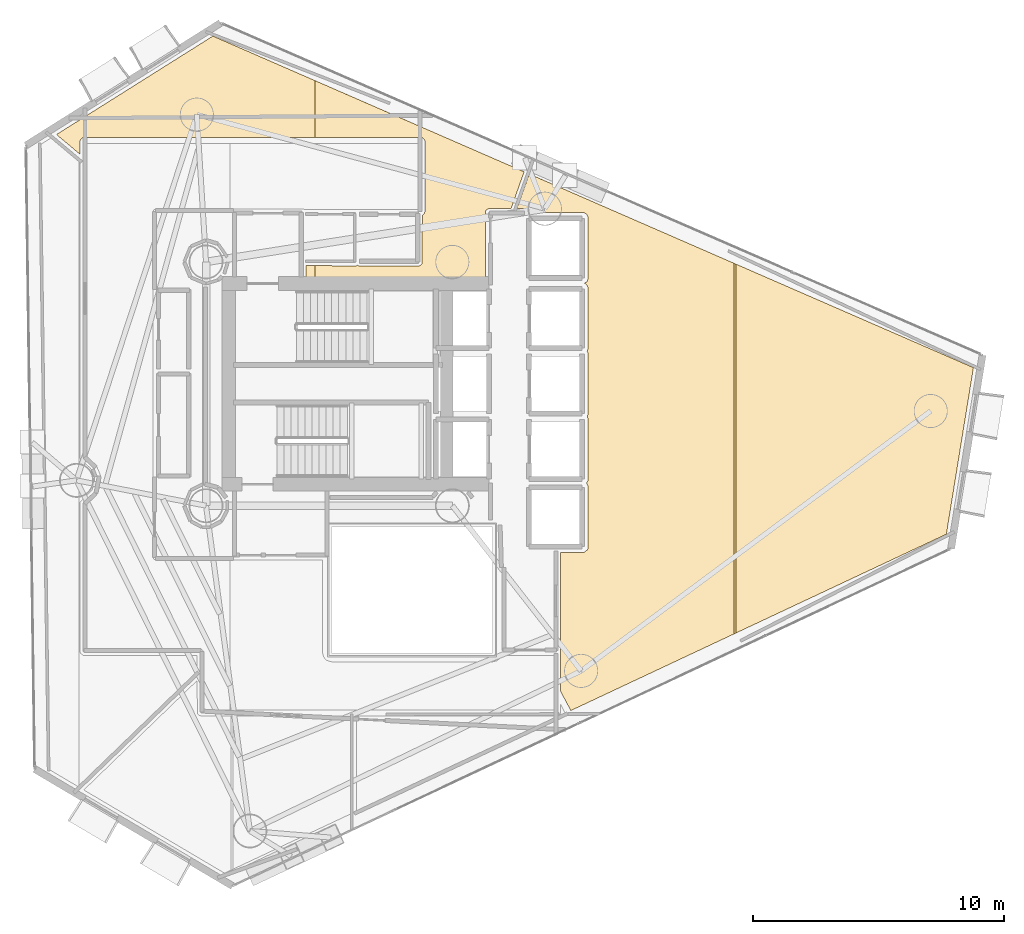
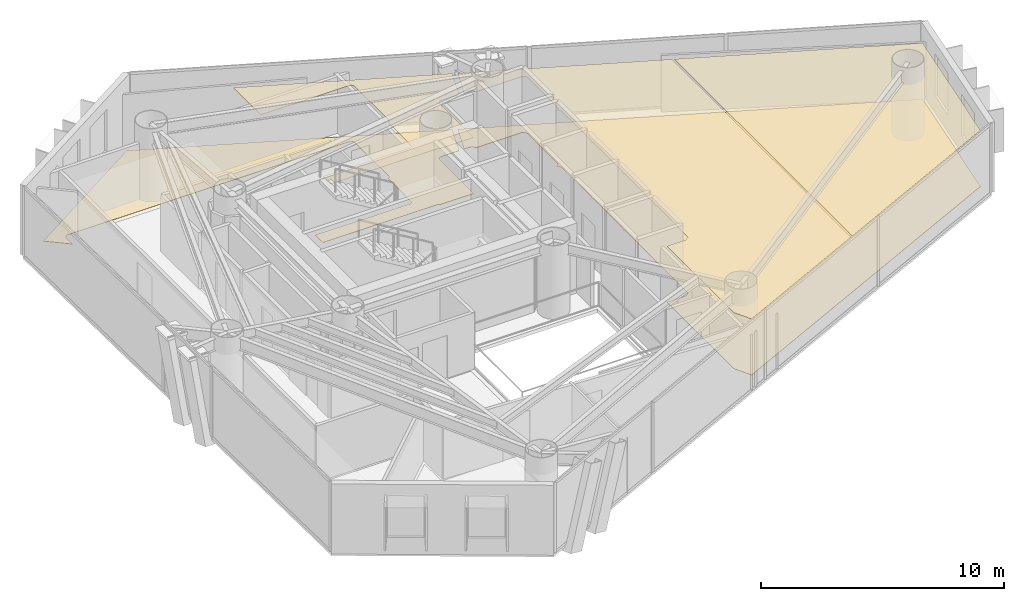
# One storey, part 20 of 20: 5 coverings.
"""IFC4 building model written with IfcOpenShell, lengths in metres."""

import ifcopenshell
import ifcopenshell.guid

model = None  # the IFC model being written
_history = None  # IfcOwnerHistory: only IFC2X3 demands one
_inside = {}  # id of a spatial element -> (the spatial element, [elements in it])
_under = {}  # id of a project, library or spatial element -> (it, [spatial elements below it])
_declared = {}  # id of a project -> (the project, [libraries it declares])
_typed = {}  # id of a type object -> (the type object, [elements of that type])
_made_of = {}  # id of a material, layer set ... -> (it, [elements and type objects made of it])


def new_model(schema):
    """Start an empty IFC model of exactly this schema.

    Asked for "IFC4X3", IfcOpenShell would pick the latest addendum, in which some entities
    have other attributes; the version numbers below select the first issue.
    IFC2X3 requires an IfcOwnerHistory on every rooted entity: one is made here for all.
    """
    global model, _history
    if schema == "IFC4X3":
        model = ifcopenshell.file(schema_version=(4, 3, 0, 0))
    else:
        model = ifcopenshell.file(schema=schema)
    _inside.clear()
    _under.clear()
    _declared.clear()
    _typed.clear()
    _made_of.clear()
    _history = None
    if model.schema == "IFC2X3":
        org = make("IfcOrganization", Name="unknown")
        user = make(
            "IfcPersonAndOrganization",
            ThePerson=make("IfcPerson", FamilyName="unknown"),
            TheOrganization=org,
        )
        app = make(
            "IfcApplication",
            ApplicationDeveloper=org,
            Version="unknown",
            ApplicationFullName="unknown",
            ApplicationIdentifier="unknown",
        )
        _history = make(
            "IfcOwnerHistory",
            OwningUser=user,
            OwningApplication=app,
            ChangeAction="ADDED",
            CreationDate=0,
        )
    return model


def make(cls, **values):
    """One entity of the class cls with the attributes given. An attribute that is None is left unset."""
    return model.create_entity(
        cls, **{name: value for name, value in values.items() if value is not None}
    )


def rooted(cls, **values):
    """An entity with a GlobalId (a new one), such as an element, a storey or a relation."""
    return make(cls, GlobalId=ifcopenshell.guid.new(), OwnerHistory=_history, **values)


def si_unit(unit_type, name, prefix=None):
    """IfcSIUnit, for example si_unit("LENGTHUNIT", "METRE", prefix="MILLI")."""
    return make("IfcSIUnit", UnitType=unit_type, Prefix=prefix, Name=name)


def assignment(units):
    """IfcUnitAssignment: the units of a project."""
    return None if units is None else make("IfcUnitAssignment", Units=units)


def point(xyz):
    """IfcCartesianPoint."""
    return None if xyz is None else make("IfcCartesianPoint", Coordinates=xyz)


def direction(xyz):
    """IfcDirection."""
    return None if xyz is None else make("IfcDirection", DirectionRatios=xyz)


def frame(location, z_axis=None, x_axis=None):
    """IfcAxis2Placement3D, a coordinate frame: its origin and axes. An axis left out is left unset."""
    return make(
        "IfcAxis2Placement3D",
        Location=point(location),
        Axis=direction(z_axis),
        RefDirection=direction(x_axis),
    )


def origin():
    """The frame at (0, 0, 0) with its axes left unset."""
    return frame((0.0, 0.0, 0.0))


def place(relative_to, where):
    """IfcLocalPlacement: puts the frame where relative to a parent placement (None: the world)."""
    return make(
        "IfcLocalPlacement", PlacementRelTo=relative_to, RelativePlacement=where
    )


def context(
    kind, dimensions, precision=None, world=None, true_north=None, identifier=None
):
    """IfcGeometricRepresentationContext, for example the 3D "Model" context."""
    return make(
        "IfcGeometricRepresentationContext",
        ContextIdentifier=identifier,
        ContextType=kind,
        CoordinateSpaceDimension=dimensions,
        Precision=precision,
        WorldCoordinateSystem=world,
        TrueNorth=true_north,
    )


def subcontext(parent, identifier, kind, view, scale=None):
    """IfcGeometricRepresentationSubContext, for example "Body" below "Model"."""
    return make(
        "IfcGeometricRepresentationSubContext",
        ContextIdentifier=identifier,
        ContextType=kind,
        ParentContext=parent,
        TargetScale=scale,
        TargetView=view,
    )


def project(units=None, contexts=None):
    """IfcProject with its units and contexts."""
    return rooted(
        "IfcProject",
        Name="project",
        RepresentationContexts=contexts,
        UnitsInContext=assignment(units),
    )


def spatial(cls, under=None, at=None, **own):
    """A site, building, storey or space (cls), placed at a placement, below another one or the project."""
    s = rooted(cls, ObjectPlacement=at, **own)
    if under is not None:
        _under.setdefault(under.id(), (under, []))[1].append(s)
    return s


def polyline(points):
    """IfcPolyline through the points."""
    return make("IfcPolyline", Points=[point(p) for p in points])


def outline(outer, holes=None, kind="AREA"):
    """IfcArbitraryClosedProfileDef: a profile drawn as a closed curve; with holes, ...WithVoids."""
    if holes is None:
        return make("IfcArbitraryClosedProfileDef", ProfileType=kind, OuterCurve=outer)
    return make(
        "IfcArbitraryProfileDefWithVoids",
        ProfileType=kind,
        OuterCurve=outer,
        InnerCurves=holes,
    )


def extrude(swept, where, along, depth):
    """IfcExtrudedAreaSolid: the profile swept, set in the frame where, extruded along a direction by depth."""
    return make(
        "IfcExtrudedAreaSolid",
        SweptArea=swept,
        Position=where,
        ExtrudedDirection=direction(along),
        Depth=depth,
    )


def shape(context_of_items, identifier, shape_type, items):
    """IfcShapeRepresentation: the items that make up one representation, for example the "Body"."""
    return make(
        "IfcShapeRepresentation",
        ContextOfItems=context_of_items,
        RepresentationIdentifier=identifier,
        RepresentationType=shape_type,
        Items=items,
    )


def material(Name=None, Category=None):
    """IfcMaterial."""
    return make("IfcMaterial", Name=Name, Category=Category)


def layer(
    of_material, thickness, ventilated=None, Name=None, Category=None, Priority=None
):
    """IfcMaterialLayer: one layer of a wall or slab, of a material (None: an air gap)."""
    return make(
        "IfcMaterialLayer",
        Material=of_material,
        LayerThickness=thickness,
        IsVentilated=ventilated,
        Name=Name,
        Category=Category,
        Priority=Priority,
    )


def layer_set(layers, Name=None):
    """IfcMaterialLayerSet."""
    return make("IfcMaterialLayerSet", MaterialLayers=layers, LayerSetName=Name)


def made_of(thing, what):
    """Note that an element or type object is made of a material, layer set ...; save() writes the relation."""
    if what is not None:
        _made_of.setdefault(what.id(), (what, []))[1].append(thing)
    return thing


def type_object(cls, material=None, **own):
    """A type object (cls), such as IfcWallType, which elements share."""
    return made_of(rooted(cls, **own), material)


def element(
    cls,
    number,
    at=None,
    inside=None,
    cuts=None,
    type_object=None,
    material=None,
    context=None,
    identifier="Body",
    shape_type=None,
    held_by="IfcProductDefinitionShape",
    body=None,
    shapes=None,
    **own,
):
    """One element of the class cls, such as IfcWall. Its Tag is "e" and its number.

    at: its placement. inside: the storey or other place that contains it. cuts: it is an
    opening in that element (IfcRelVoidsElement). A single representation is given by context,
    identifier, shape_type and body (its items); several are given by shapes. held_by: the class
    of the entity that holds the representations. save() writes the other relations.
    """
    e = rooted(cls, Tag="e%d" % number, ObjectPlacement=at, **own)
    if body is not None:
        shapes = [shape(context, identifier, shape_type, body)]
    if shapes is not None:
        e.Representation = make(held_by, Representations=shapes)
    if inside is not None:
        _inside.setdefault(inside.id(), (inside, []))[1].append(e)
    if cuts is not None:
        rooted(
            "IfcRelVoidsElement", RelatingBuildingElement=cuts, RelatedOpeningElement=e
        )
    if type_object is not None:
        _typed.setdefault(type_object.id(), (type_object, []))[1].append(e)
    return made_of(e, material)


def aggregate(whole, parts):
    """IfcRelAggregates: a whole, such as a stair, and the parts it consists of."""
    return rooted("IfcRelAggregates", RelatingObject=whole, RelatedObjects=parts)


def save(model, path):
    """Write the relations noted so far, then the file.

    IfcRelAggregates (storeys below a building ...), IfcRelContainedInSpatialStructure (elements
    in a storey), IfcRelDefinesByType, IfcRelAssociatesMaterial and IfcRelDeclares: one each for
    every whole, place, type object, material and project.
    """
    for whole, parts in _under.values():
        aggregate(whole, parts)
    for where, things in _inside.values():
        rooted(
            "IfcRelContainedInSpatialStructure",
            RelatedElements=things,
            RelatingStructure=where,
        )
    for kind, things in _typed.values():
        rooted("IfcRelDefinesByType", RelatedObjects=things, RelatingType=kind)
    for what, things in _made_of.values():
        rooted("IfcRelAssociatesMaterial", RelatedObjects=things, RelatingMaterial=what)
    for by, libraries in _declared.values():
        rooted("IfcRelDeclares", RelatingContext=by, RelatedDefinitions=libraries)
    model.write(path)


model = new_model("IFC4")

# Units and contexts
model_context = context("Model", 3, precision=1e-05, world=origin(), true_north=direction((0.0, 1.0)))
body_context = subcontext(model_context, "Body", "Model", "MODEL_VIEW")
ifc_project = project(units=[si_unit("LENGTHUNIT", "METRE"), si_unit("AREAUNIT", "SQUARE_METRE"), si_unit("VOLUMEUNIT", "CUBIC_METRE"), si_unit("PLANEANGLEUNIT", "RADIAN"), si_unit("MASSUNIT", "GRAM", prefix="KILO")], contexts=[model_context])

# Site, building, storey
site_placement = place(None, origin())
site = spatial("IfcSite", under=ifc_project, at=site_placement, CompositionType="ELEMENT")
building_placement = place(site_placement, origin())
building = spatial("IfcBuilding", under=site, at=building_placement, Name="Qianvela Tower", CompositionType="ELEMENT")
storey_placement = place(building_placement, frame((0.0, 0.0, 151.300048828125)))
storey = spatial("IfcBuildingStorey", under=building, at=storey_placement, Name="L38", CompositionType="ELEMENT", Elevation=151.300048828125)

# Coverings
ifc_material_1 = material(Name="Perforated Mineral Acoustic Ceiling Tile")
ifc_layer_1 = layer(ifc_material_1, 0.02490234375)
ifc_layer_set_1 = layer_set([ifc_layer_1], Name="Perforated Mineral Acoustic Ceiling Tile")
covering_type_1 = type_object("IfcCoveringType", Name="COV-CEIL-ACOUSTIC-25", PredefinedType="CEILING", material=ifc_layer_set_1)
covering_1_placement = place(storey_placement, frame((0.0, 0.0, 2.81494140625)))
element("IfcCovering", 1, at=covering_1_placement, inside=storey, type_object=covering_type_1, Name="L38 Acoustic Ceiling Bay 1 Student Bookshop Market L38-04", PredefinedType="CEILING", context=body_context, shape_type="SweptSolid", body=[
    extrude(outline(polyline([(42.7099609375, 16.461181640625), (42.709228515625, 21.97998046875), (43.59375, 21.980712890625), (43.602294921875, 21.981201171875), (43.610595703125, 21.982421875), (43.618896484375, 21.984619140625), (43.626708984375, 21.98779296875), (43.63427734375, 21.99169921875), (43.641357421875, 21.996337890625), (43.757080078125, 22.082275390625), (43.763427734375, 22.08740234375), (43.769287109375, 22.09326171875), (43.7744140625, 22.099853515625), (43.77880859375, 22.106689453125), (43.782470703125, 22.114013671875), (43.785400390625, 22.121826171875), (43.78759765625, 22.1298828125), (43.788818359375, 22.137939453125), (43.789306640625, 22.146240234375), (43.79736328125, 24.627197265625), (43.797119140625, 24.63427734375), (43.7958984375, 24.6416015625), (43.79443359375, 24.6484375), (43.792236328125, 24.655517578125), (43.789306640625, 24.662109375), (43.785888671875, 24.66845703125), (43.7373046875, 24.749267578125), (43.737060546875, 24.75), (43.780517578125, 24.81494140625), (43.784423828125, 24.821533203125), (43.787841796875, 24.82861328125), (43.79052734375, 24.8359375), (43.79248046875, 24.843505859375), (43.793701171875, 24.851318359375), (43.7939453125, 24.859130859375), (43.800048828125, 27.2998046875), (43.799560546875, 27.307861328125), (43.79833984375, 27.315673828125), (43.79638671875, 27.323486328125), (43.793701171875, 27.3310546875), (43.7646484375, 27.39990234375), (43.793701171875, 27.468994140625), (43.79638671875, 27.476318359375), (43.79833984375, 27.484130859375), (43.799560546875, 27.491943359375), (43.800048828125, 27.5), (43.800048828125, 29.89990234375), (43.799560546875, 29.907958984375), (43.79833984375, 29.915771484375), (43.79638671875, 29.923583984375), (43.793701171875, 29.93115234375), (43.7646484375, 30.0), (43.793701171875, 30.06884765625), (43.79638671875, 30.076416015625), (43.79833984375, 30.084228515625), (43.799560546875, 30.092041015625), (43.800048828125, 30.10009765625), (43.79931640625, 32.513671875), (43.798828125, 32.522705078125), (43.79736328125, 32.53125), (43.794921875, 32.539794921875), (43.79150390625, 32.5478515625), (43.751220703125, 32.63330078125), (43.74755859375, 32.64013671875), (43.743408203125, 32.646728515625), (43.73828125, 32.652587890625), (43.732666015625, 32.658203125), (43.726806640625, 32.663330078125), (43.72021484375, 32.66748046875), (43.713134765625, 32.67138671875), (43.646484375, 32.702880859375), (43.722412109375, 32.739013671875), (43.729248046875, 32.74267578125), (43.73583984375, 32.746826171875), (43.741943359375, 32.751953125), (43.74755859375, 32.757568359375), (43.75244140625, 32.763427734375), (43.7568359375, 32.77001953125), (43.760498046875, 32.777099609375), (43.763427734375, 32.7841796875), (43.79541015625, 32.873046875), (43.79736328125, 32.879638671875), (43.798828125, 32.88623046875), (43.7998046875, 32.893310546875), (43.800048828125, 32.89990234375), (43.79931640625, 35.313720703125), (43.798828125, 35.322509765625), (43.79736328125, 35.331298828125), (43.794921875, 35.33984375), (43.79150390625, 35.347900390625), (43.751220703125, 35.43310546875), (43.74755859375, 35.440185546875), (43.743408203125, 35.44677734375), (43.73828125, 35.45263671875), (43.732666015625, 35.458251953125), (43.726806640625, 35.46337890625), (43.72021484375, 35.467529296875), (43.713134765625, 35.47119140625), (43.6279296875, 35.51171875), (43.621337890625, 35.514404296875), (43.614501953125, 35.5166015625), (43.607666015625, 35.51806640625), (43.6005859375, 35.51904296875), (43.593505859375, 35.519287109375), (41.4306640625, 35.51123046875), (41.410400390625, 35.579345703125), (41.407958984375, 35.586669921875), (41.404541015625, 35.59375), (41.400634765625, 35.6005859375), (41.39599609375, 35.606689453125), (41.390869140625, 35.61279296875), (41.38525390625, 35.617919921875), (41.337646484375, 35.65771484375), (41.331298828125, 35.66259765625), (41.32470703125, 35.666748046875), (41.3173828125, 35.670166015625), (41.31005859375, 35.6728515625), (41.302490234375, 35.6748046875), (41.294677734375, 35.676025390625), (41.286865234375, 35.676513671875), (40.97216796875, 35.67919921875), (41.46044921875, 37.0478515625), (49.605712890625, 33.4970703125), (49.605712890625, 18.747802734375), (43.11474609375, 15.699951171875), (42.7099609375, 16.461181640625)])), origin(), (0.0, 0.0, 1.0), 0.02490234375),
])
covering_2_placement = place(storey_placement, frame((0.0, 0.0, 2.81494140625)))
element("IfcCovering", 2, at=covering_2_placement, inside=storey, type_object=covering_type_1, Name="L38 Acoustic Ceiling Bay 2 Student Bookshop Market L38-04", PredefinedType="CEILING", context=body_context, shape_type="SweptSolid", body=[
    extrude(outline(polyline([(59.133056640625, 29.343994140625), (58.056884765625, 22.716064453125), (49.685791015625, 18.785400390625), (49.685791015625, 33.462158203125), (59.133056640625, 29.343994140625)])), origin(), (0.0, 0.0, 1.0), 0.02490234375),
])
covering_3_placement = place(storey_placement, frame((0.0, 0.0, 2.81494140625)))
element("IfcCovering", 3, at=covering_3_placement, inside=storey, type_object=covering_type_1, Name="L38 Acoustic Ceiling Bay 2 Student Wellness Lounge L38-05", PredefinedType="CEILING", context=body_context, shape_type="SweptSolid", body=[
    extrude(outline(polyline([(40.740478515625, 35.679931640625), (39.8798828125, 35.679931640625), (39.872314453125, 35.6796875), (39.864501953125, 35.678466796875), (39.856689453125, 35.676513671875), (39.849365234375, 35.673828125), (39.84228515625, 35.670654296875), (39.835693359375, 35.66650390625), (39.76171875, 35.6171875), (39.75537109375, 35.612548828125), (39.74951171875, 35.607177734375), (39.744384765625, 35.601318359375), (39.739501953125, 35.59521484375), (39.735595703125, 35.58837890625), (39.732177734375, 35.581298828125), (39.7294921875, 35.573974609375), (39.727783203125, 35.56640625), (39.7265625, 35.55859375), (39.72607421875, 35.55078125), (39.72021484375, 32.719970703125), (38.125, 32.719970703125), (38.03369140625, 32.762451171875), (38.025634765625, 32.765625), (38.017333984375, 32.76806640625), (38.0087890625, 32.76953125), (38.0, 32.77001953125), (32.938720703125, 32.77001953125), (32.938720703125, 33.40380859375), (34.54931640625, 33.389892578125), (34.5576171875, 33.390380859375), (34.565673828125, 33.3916015625), (34.57373046875, 33.3935546875), (34.581298828125, 33.396484375), (34.5888671875, 33.400146484375), (34.595703125, 33.404296875), (34.625, 33.4248046875), (34.654296875, 33.404296875), (34.6611328125, 33.400146484375), (34.66845703125, 33.396484375), (34.676025390625, 33.393798828125), (34.683837890625, 33.3916015625), (34.69189453125, 33.390380859375), (34.699951171875, 33.389892578125), (37.050048828125, 33.389892578125), (37.058837890625, 33.390380859375), (37.0673828125, 33.391845703125), (37.075927734375, 33.394287109375), (37.084228515625, 33.397705078125), (37.14599609375, 33.427001953125), (37.1533203125, 33.430908203125), (37.159912109375, 33.435302734375), (37.166259765625, 33.440673828125), (37.171875, 33.4462890625), (37.177001953125, 33.452880859375), (37.181396484375, 33.459716796875), (37.18505859375, 33.466796875), (37.18798828125, 33.474609375), (37.18994140625, 33.482421875), (37.19140625, 33.490478515625), (37.19189453125, 33.49853515625), (37.20947265625, 35.417724609375), (37.220703125, 35.420654296875), (37.22802734375, 35.423095703125), (37.2353515625, 35.426025390625), (37.2421875, 35.4296875), (37.24853515625, 35.43408203125), (37.254638671875, 35.43896484375), (37.260009765625, 35.444580078125), (37.26513671875, 35.45068359375), (37.269287109375, 35.45703125), (37.273193359375, 35.464111328125), (37.30224609375, 35.52587890625), (37.3056640625, 35.533935546875), (37.30810546875, 35.54248046875), (37.3095703125, 35.55126953125), (37.31005859375, 35.56005859375), (37.31005859375, 38.35009765625), (37.309814453125, 38.357421875), (37.30859375, 38.364501953125), (37.306884765625, 38.37158203125), (37.3046875, 38.37841796875), (37.3017578125, 38.38525390625), (37.29833984375, 38.3916015625), (37.294189453125, 38.397705078125), (37.237548828125, 38.47412109375), (37.232177734375, 38.480712890625), (37.226318359375, 38.486328125), (37.2197265625, 38.49169921875), (37.212890625, 38.49609375), (37.20556640625, 38.499755859375), (37.19775390625, 38.502685546875), (37.189697265625, 38.5048828125), (37.181396484375, 38.506103515625), (37.173095703125, 38.506591796875), (32.938720703125, 38.507568359375), (32.938720703125, 40.762451171875), (41.2568359375, 37.136474609375), (40.740478515625, 35.679931640625)])), origin(), (0.0, 0.0, 1.0), 0.02490234375),
])
ifc_material_2 = material(Name="Engineered Acoustic Oak Timber Flooring", Category="wood")
ifc_layer_2 = layer(ifc_material_2, 0.02001953125)
ifc_layer_set_2 = layer_set([ifc_layer_2], Name="Engineered Acoustic Oak Timber Flooring")
covering_type_2 = type_object("IfcCoveringType", Name="COV-FLOOR-OAK-20", PredefinedType="FLOORING", material=ifc_layer_set_2)
covering_4_placement = place(storey_placement, origin())
element("IfcCovering", 4, at=covering_4_placement, inside=storey, type_object=covering_type_2, Name="L38 Finish Flooring Student Bookshop Market L38-04", PredefinedType="FLOORING", context=body_context, shape_type="SweptSolid", body=[
    extrude(outline(polyline([(43.11474609375, 15.699951171875), (42.7099609375, 16.461181640625), (42.709228515625, 21.97998046875), (43.59375, 21.980712890625), (43.602294921875, 21.981201171875), (43.610595703125, 21.982421875), (43.618896484375, 21.984619140625), (43.626708984375, 21.98779296875), (43.63427734375, 21.99169921875), (43.641357421875, 21.996337890625), (43.757080078125, 22.082275390625), (43.763427734375, 22.08740234375), (43.769287109375, 22.09326171875), (43.7744140625, 22.099853515625), (43.77880859375, 22.106689453125), (43.782470703125, 22.114013671875), (43.785400390625, 22.121826171875), (43.78759765625, 22.1298828125), (43.788818359375, 22.137939453125), (43.789306640625, 22.146240234375), (43.79736328125, 24.627197265625), (43.797119140625, 24.63427734375), (43.7958984375, 24.6416015625), (43.79443359375, 24.6484375), (43.792236328125, 24.655517578125), (43.789306640625, 24.662109375), (43.785888671875, 24.66845703125), (43.7373046875, 24.749267578125), (43.737060546875, 24.75), (43.780517578125, 24.81494140625), (43.784423828125, 24.821533203125), (43.787841796875, 24.82861328125), (43.79052734375, 24.8359375), (43.79248046875, 24.843505859375), (43.793701171875, 24.851318359375), (43.7939453125, 24.859130859375), (43.800048828125, 27.2998046875), (43.799560546875, 27.307861328125), (43.79833984375, 27.315673828125), (43.79638671875, 27.323486328125), (43.793701171875, 27.3310546875), (43.7646484375, 27.39990234375), (43.793701171875, 27.468994140625), (43.79638671875, 27.476318359375), (43.79833984375, 27.484130859375), (43.799560546875, 27.491943359375), (43.800048828125, 27.5), (43.800048828125, 29.89990234375), (43.799560546875, 29.907958984375), (43.79833984375, 29.915771484375), (43.79638671875, 29.923583984375), (43.793701171875, 29.93115234375), (43.7646484375, 30.0), (43.793701171875, 30.06884765625), (43.79638671875, 30.076416015625), (43.79833984375, 30.084228515625), (43.799560546875, 30.092041015625), (43.800048828125, 30.10009765625), (43.79931640625, 32.513671875), (43.798828125, 32.522705078125), (43.79736328125, 32.53125), (43.794921875, 32.539794921875), (43.79150390625, 32.5478515625), (43.751220703125, 32.63330078125), (43.74755859375, 32.64013671875), (43.743408203125, 32.646728515625), (43.73828125, 32.652587890625), (43.732666015625, 32.658203125), (43.726806640625, 32.663330078125), (43.72021484375, 32.66748046875), (43.713134765625, 32.67138671875), (43.646484375, 32.702880859375), (43.722412109375, 32.739013671875), (43.729248046875, 32.74267578125), (43.73583984375, 32.746826171875), (43.741943359375, 32.751953125), (43.74755859375, 32.757568359375), (43.75244140625, 32.763427734375), (43.7568359375, 32.77001953125), (43.760498046875, 32.777099609375), (43.763427734375, 32.7841796875), (43.79541015625, 32.873046875), (43.79736328125, 32.879638671875), (43.798828125, 32.88623046875), (43.7998046875, 32.893310546875), (43.800048828125, 32.89990234375), (43.79931640625, 35.313720703125), (43.798828125, 35.322509765625), (43.79736328125, 35.331298828125), (43.794921875, 35.33984375), (43.79150390625, 35.347900390625), (43.751220703125, 35.43310546875), (43.74755859375, 35.440185546875), (43.743408203125, 35.44677734375), (43.73828125, 35.45263671875), (43.732666015625, 35.458251953125), (43.726806640625, 35.46337890625), (43.72021484375, 35.467529296875), (43.713134765625, 35.47119140625), (43.6279296875, 35.51171875), (43.621337890625, 35.514404296875), (43.614501953125, 35.5166015625), (43.607666015625, 35.51806640625), (43.6005859375, 35.51904296875), (43.593505859375, 35.519287109375), (41.4306640625, 35.51123046875), (41.410400390625, 35.579345703125), (41.407958984375, 35.586669921875), (41.404541015625, 35.59375), (41.400634765625, 35.6005859375), (41.39599609375, 35.606689453125), (41.390869140625, 35.61279296875), (41.38525390625, 35.617919921875), (41.337646484375, 35.65771484375), (41.331298828125, 35.66259765625), (41.32470703125, 35.666748046875), (41.3173828125, 35.670166015625), (41.31005859375, 35.6728515625), (41.302490234375, 35.6748046875), (41.294677734375, 35.676025390625), (41.286865234375, 35.676513671875), (40.97216796875, 35.67919921875), (41.46044921875, 37.0478515625), (59.133056640625, 29.343994140625), (58.056884765625, 22.716064453125), (43.11474609375, 15.699951171875)])), origin(), (0.0, 0.0, 1.0), 0.02001953125),
])
covering_5_placement = place(storey_placement, origin())
element("IfcCovering", 5, at=covering_5_placement, inside=storey, type_object=covering_type_2, Name="L38 Finish Flooring Student Wellness Lounge L38-05", PredefinedType="FLOORING", context=body_context, shape_type="SweptSolid", body=[
    extrude(outline(polyline([(41.2568359375, 37.136474609375), (40.740478515625, 35.679931640625), (39.8798828125, 35.679931640625), (39.872314453125, 35.6796875), (39.864501953125, 35.678466796875), (39.856689453125, 35.676513671875), (39.849365234375, 35.673828125), (39.84228515625, 35.670654296875), (39.835693359375, 35.66650390625), (39.76171875, 35.6171875), (39.75537109375, 35.612548828125), (39.74951171875, 35.607177734375), (39.744384765625, 35.601318359375), (39.739501953125, 35.59521484375), (39.735595703125, 35.58837890625), (39.732177734375, 35.581298828125), (39.7294921875, 35.573974609375), (39.727783203125, 35.56640625), (39.7265625, 35.55859375), (39.72607421875, 35.55078125), (39.72021484375, 32.719970703125), (38.125, 32.719970703125), (38.03369140625, 32.762451171875), (38.025634765625, 32.765625), (38.017333984375, 32.76806640625), (38.0087890625, 32.76953125), (38.0, 32.77001953125), (32.580078125, 32.77001953125), (32.580078125, 33.406982421875), (34.54931640625, 33.389892578125), (34.5576171875, 33.390380859375), (34.565673828125, 33.3916015625), (34.57373046875, 33.3935546875), (34.581298828125, 33.396484375), (34.5888671875, 33.400146484375), (34.595703125, 33.404296875), (34.625, 33.4248046875), (34.654296875, 33.404296875), (34.6611328125, 33.400146484375), (34.66845703125, 33.396484375), (34.676025390625, 33.393798828125), (34.683837890625, 33.3916015625), (34.69189453125, 33.390380859375), (34.699951171875, 33.389892578125), (37.050048828125, 33.389892578125), (37.058837890625, 33.390380859375), (37.0673828125, 33.391845703125), (37.075927734375, 33.394287109375), (37.084228515625, 33.397705078125), (37.14599609375, 33.427001953125), (37.1533203125, 33.430908203125), (37.159912109375, 33.435302734375), (37.166259765625, 33.440673828125), (37.171875, 33.4462890625), (37.177001953125, 33.452880859375), (37.181396484375, 33.459716796875), (37.18505859375, 33.466796875), (37.18798828125, 33.474609375), (37.18994140625, 33.482421875), (37.19140625, 33.490478515625), (37.19189453125, 33.49853515625), (37.20947265625, 35.417724609375), (37.220703125, 35.420654296875), (37.22802734375, 35.423095703125), (37.2353515625, 35.426025390625), (37.2421875, 35.4296875), (37.24853515625, 35.43408203125), (37.254638671875, 35.43896484375), (37.260009765625, 35.444580078125), (37.26513671875, 35.45068359375), (37.269287109375, 35.45703125), (37.273193359375, 35.464111328125), (37.30224609375, 35.52587890625), (37.3056640625, 35.533935546875), (37.30810546875, 35.54248046875), (37.3095703125, 35.55126953125), (37.31005859375, 35.56005859375), (37.31005859375, 38.35009765625), (37.309814453125, 38.357421875), (37.30859375, 38.364501953125), (37.306884765625, 38.37158203125), (37.3046875, 38.37841796875), (37.3017578125, 38.38525390625), (37.29833984375, 38.3916015625), (37.294189453125, 38.397705078125), (37.237548828125, 38.47412109375), (37.232177734375, 38.480712890625), (37.226318359375, 38.486328125), (37.2197265625, 38.49169921875), (37.212890625, 38.49609375), (37.20556640625, 38.499755859375), (37.19775390625, 38.502685546875), (37.189697265625, 38.5048828125), (37.181396484375, 38.506103515625), (37.173095703125, 38.506591796875), (23.7421875, 38.509521484375), (23.734375, 38.50927734375), (23.7265625, 38.508056640625), (23.718994140625, 38.506103515625), (23.711669921875, 38.50341796875), (23.70458984375, 38.500244140625), (23.69775390625, 38.49609375), (23.69140625, 38.491455078125), (23.685546875, 38.486083984375), (23.61376953125, 38.414306640625), (23.6083984375, 38.40869140625), (23.60400390625, 38.40234375), (23.599853515625, 38.3955078125), (23.596435546875, 38.388427734375), (23.59375, 38.381103515625), (23.591796875, 38.37353515625), (23.5908203125, 38.36572265625), (23.59033203125, 38.35791015625), (23.590087890625, 37.8310546875), (22.650390625, 38.619384765625), (28.871826171875, 42.535400390625), (41.2568359375, 37.136474609375)])), origin(), (0.0, 0.0, 1.0), 0.02001953125),
])

save(model, "model.ifc")
